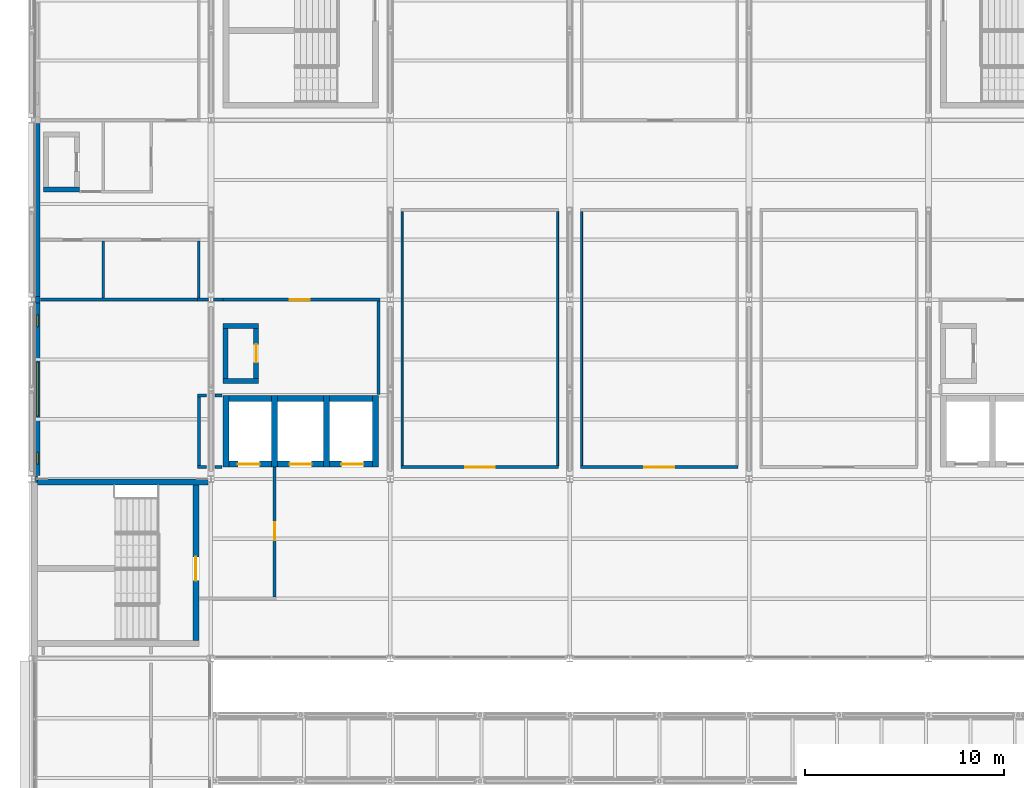
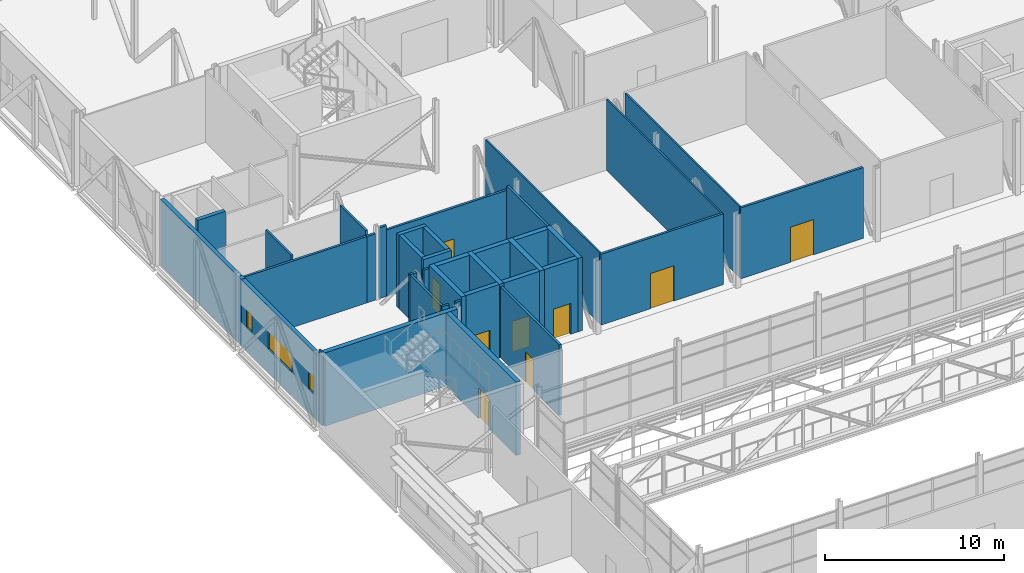
# One storey, part 78 of 94: 39 walls, 9 doors, 3 windows, 12 openings.
"""IFC4 building model written with IfcOpenShell, lengths in metres."""

import ifcopenshell
import ifcopenshell.guid

model = None  # the IFC model being written
_history = None  # IfcOwnerHistory: only IFC2X3 demands one
_inside = {}  # id of a spatial element -> (the spatial element, [elements in it])
_under = {}  # id of a project, library or spatial element -> (it, [spatial elements below it])
_declared = {}  # id of a project -> (the project, [libraries it declares])
_typed = {}  # id of a type object -> (the type object, [elements of that type])
_made_of = {}  # id of a material, layer set ... -> (it, [elements and type objects made of it])


def new_model(schema):
    """Start an empty IFC model of exactly this schema.

    Asked for "IFC4X3", IfcOpenShell would pick the latest addendum, in which some entities
    have other attributes; the version numbers below select the first issue.
    IFC2X3 requires an IfcOwnerHistory on every rooted entity: one is made here for all.
    """
    global model, _history
    if schema == "IFC4X3":
        model = ifcopenshell.file(schema_version=(4, 3, 0, 0))
    else:
        model = ifcopenshell.file(schema=schema)
    _inside.clear()
    _under.clear()
    _declared.clear()
    _typed.clear()
    _made_of.clear()
    _history = None
    if model.schema == "IFC2X3":
        org = make("IfcOrganization", Name="unknown")
        user = make(
            "IfcPersonAndOrganization",
            ThePerson=make("IfcPerson", FamilyName="unknown"),
            TheOrganization=org,
        )
        app = make(
            "IfcApplication",
            ApplicationDeveloper=org,
            Version="unknown",
            ApplicationFullName="unknown",
            ApplicationIdentifier="unknown",
        )
        _history = make(
            "IfcOwnerHistory",
            OwningUser=user,
            OwningApplication=app,
            ChangeAction="ADDED",
            CreationDate=0,
        )
    return model


def make(cls, **values):
    """One entity of the class cls with the attributes given. An attribute that is None is left unset."""
    return model.create_entity(
        cls, **{name: value for name, value in values.items() if value is not None}
    )


def rooted(cls, **values):
    """An entity with a GlobalId (a new one), such as an element, a storey or a relation."""
    return make(cls, GlobalId=ifcopenshell.guid.new(), OwnerHistory=_history, **values)


def si_unit(unit_type, name, prefix=None):
    """IfcSIUnit, for example si_unit("LENGTHUNIT", "METRE", prefix="MILLI")."""
    return make("IfcSIUnit", UnitType=unit_type, Prefix=prefix, Name=name)


def assignment(units):
    """IfcUnitAssignment: the units of a project."""
    return None if units is None else make("IfcUnitAssignment", Units=units)


def point(xyz):
    """IfcCartesianPoint."""
    return None if xyz is None else make("IfcCartesianPoint", Coordinates=xyz)


def direction(xyz):
    """IfcDirection."""
    return None if xyz is None else make("IfcDirection", DirectionRatios=xyz)


def frame(location, z_axis=None, x_axis=None):
    """IfcAxis2Placement3D, a coordinate frame: its origin and axes. An axis left out is left unset."""
    return make(
        "IfcAxis2Placement3D",
        Location=point(location),
        Axis=direction(z_axis),
        RefDirection=direction(x_axis),
    )


def frame_2d(location, x_axis=None):
    """IfcAxis2Placement2D, a coordinate frame in the plane: its origin and x axis."""
    return make(
        "IfcAxis2Placement2D", Location=point(location), RefDirection=direction(x_axis)
    )


def origin():
    """The frame at (0, 0, 0) with its axes left unset."""
    return frame((0.0, 0.0, 0.0))


def place(relative_to, where):
    """IfcLocalPlacement: puts the frame where relative to a parent placement (None: the world)."""
    return make(
        "IfcLocalPlacement", PlacementRelTo=relative_to, RelativePlacement=where
    )


def context(
    kind, dimensions, precision=None, world=None, true_north=None, identifier=None
):
    """IfcGeometricRepresentationContext, for example the 3D "Model" context."""
    return make(
        "IfcGeometricRepresentationContext",
        ContextIdentifier=identifier,
        ContextType=kind,
        CoordinateSpaceDimension=dimensions,
        Precision=precision,
        WorldCoordinateSystem=world,
        TrueNorth=true_north,
    )


def subcontext(parent, identifier, kind, view, scale=None):
    """IfcGeometricRepresentationSubContext, for example "Body" below "Model"."""
    return make(
        "IfcGeometricRepresentationSubContext",
        ContextIdentifier=identifier,
        ContextType=kind,
        ParentContext=parent,
        TargetScale=scale,
        TargetView=view,
    )


def project(units=None, contexts=None):
    """IfcProject with its units and contexts."""
    return rooted(
        "IfcProject",
        Name="project",
        RepresentationContexts=contexts,
        UnitsInContext=assignment(units),
    )


def spatial(cls, under=None, at=None, **own):
    """A site, building, storey or space (cls), placed at a placement, below another one or the project."""
    s = rooted(cls, ObjectPlacement=at, **own)
    if under is not None:
        _under.setdefault(under.id(), (under, []))[1].append(s)
    return s


def profile(cls, at=None, kind="AREA", **sizes):
    """A parametric profile (cls). Its sizes go by their IFC names, for example OverallWidth=200.0."""
    return make(cls, ProfileType=kind, Position=at, **sizes)


def rectangle(**sizes):
    """IfcRectangleProfileDef."""
    return profile("IfcRectangleProfileDef", **sizes)


def extrude(swept, where, along, depth):
    """IfcExtrudedAreaSolid: the profile swept, set in the frame where, extruded along a direction by depth."""
    return make(
        "IfcExtrudedAreaSolid",
        SweptArea=swept,
        Position=where,
        ExtrudedDirection=direction(along),
        Depth=depth,
    )


def shape(context_of_items, identifier, shape_type, items):
    """IfcShapeRepresentation: the items that make up one representation, for example the "Body"."""
    return make(
        "IfcShapeRepresentation",
        ContextOfItems=context_of_items,
        RepresentationIdentifier=identifier,
        RepresentationType=shape_type,
        Items=items,
    )


def material(Name=None, Category=None):
    """IfcMaterial."""
    return make("IfcMaterial", Name=Name, Category=Category)


def layer(
    of_material, thickness, ventilated=None, Name=None, Category=None, Priority=None
):
    """IfcMaterialLayer: one layer of a wall or slab, of a material (None: an air gap)."""
    return make(
        "IfcMaterialLayer",
        Material=of_material,
        LayerThickness=thickness,
        IsVentilated=ventilated,
        Name=Name,
        Category=Category,
        Priority=Priority,
    )


def layer_set(layers, Name=None):
    """IfcMaterialLayerSet."""
    return make("IfcMaterialLayerSet", MaterialLayers=layers, LayerSetName=Name)


def made_of(thing, what):
    """Note that an element or type object is made of a material, layer set ...; save() writes the relation."""
    if what is not None:
        _made_of.setdefault(what.id(), (what, []))[1].append(thing)
    return thing


def type_object(cls, material=None, **own):
    """A type object (cls), such as IfcWallType, which elements share."""
    return made_of(rooted(cls, **own), material)


def element(
    cls,
    number,
    at=None,
    inside=None,
    cuts=None,
    type_object=None,
    material=None,
    context=None,
    identifier="Body",
    shape_type=None,
    held_by="IfcProductDefinitionShape",
    body=None,
    shapes=None,
    **own,
):
    """One element of the class cls, such as IfcWall. Its Tag is "e" and its number.

    at: its placement. inside: the storey or other place that contains it. cuts: it is an
    opening in that element (IfcRelVoidsElement). A single representation is given by context,
    identifier, shape_type and body (its items); several are given by shapes. held_by: the class
    of the entity that holds the representations. save() writes the other relations.
    """
    e = rooted(cls, Tag="e%d" % number, ObjectPlacement=at, **own)
    if body is not None:
        shapes = [shape(context, identifier, shape_type, body)]
    if shapes is not None:
        e.Representation = make(held_by, Representations=shapes)
    if inside is not None:
        _inside.setdefault(inside.id(), (inside, []))[1].append(e)
    if cuts is not None:
        rooted(
            "IfcRelVoidsElement", RelatingBuildingElement=cuts, RelatedOpeningElement=e
        )
    if type_object is not None:
        _typed.setdefault(type_object.id(), (type_object, []))[1].append(e)
    return made_of(e, material)


def fill(opening, filler):
    """IfcRelFillsElement: the door or window that sits in an opening."""
    return rooted(
        "IfcRelFillsElement",
        RelatingOpeningElement=opening,
        RelatedBuildingElement=filler,
    )


def aggregate(whole, parts):
    """IfcRelAggregates: a whole, such as a stair, and the parts it consists of."""
    return rooted("IfcRelAggregates", RelatingObject=whole, RelatedObjects=parts)


def save(model, path):
    """Write the relations noted so far, then the file.

    IfcRelAggregates (storeys below a building ...), IfcRelContainedInSpatialStructure (elements
    in a storey), IfcRelDefinesByType, IfcRelAssociatesMaterial and IfcRelDeclares: one each for
    every whole, place, type object, material and project.
    """
    for whole, parts in _under.values():
        aggregate(whole, parts)
    for where, things in _inside.values():
        rooted(
            "IfcRelContainedInSpatialStructure",
            RelatedElements=things,
            RelatingStructure=where,
        )
    for kind, things in _typed.values():
        rooted("IfcRelDefinesByType", RelatedObjects=things, RelatingType=kind)
    for what, things in _made_of.values():
        rooted("IfcRelAssociatesMaterial", RelatedObjects=things, RelatingMaterial=what)
    for by, libraries in _declared.values():
        rooted("IfcRelDeclares", RelatingContext=by, RelatedDefinitions=libraries)
    model.write(path)


model = new_model("IFC4")

# Units and contexts
model_context = context("Model", 3, precision=1e-05, world=origin(), true_north=direction((0.0, 1.0)))
body_context = subcontext(model_context, "Body", "Model", "MODEL_VIEW")
ifc_project = project(units=[si_unit("LENGTHUNIT", "METRE"), si_unit("AREAUNIT", "SQUARE_METRE"), si_unit("VOLUMEUNIT", "CUBIC_METRE"), si_unit("PLANEANGLEUNIT", "RADIAN"), si_unit("MASSUNIT", "GRAM", prefix="KILO")], contexts=[model_context])

# Site, building, storey
site_placement = place(None, origin())
site = spatial("IfcSite", under=ifc_project, at=site_placement, CompositionType="ELEMENT")
building_placement = place(site_placement, origin())
building = spatial("IfcBuilding", under=site, at=building_placement, Name="Shorebreak Coast Museum", CompositionType="ELEMENT")
storey_placement = place(building_placement, frame((0.0, 0.0, 31.0)))
storey = spatial("IfcBuildingStorey", under=building, at=storey_placement, Name="L05", CompositionType="ELEMENT", Elevation=31.0)

# Walls
ifc_material_1 = material(Name="Concrete N50 (50 MPa)", Category="concrete")
ifc_layer_1 = layer(ifc_material_1, 0.109619140625)
ifc_layer_set_1 = layer_set([ifc_layer_1], Name="Concrete N50 (50 MPa)")
wall_type_1 = type_object("IfcWallType", Name="Column closure panel 110", PredefinedType="SOLIDWALL", material=ifc_layer_set_1)
wall_1_placement = place(storey_placement, frame((54.2451171875, 89.83642578125, 0.0), z_axis=(0.0, 0.0, 1.0), x_axis=(0.0, 1.0, 0.0)))
element("IfcWall", 1, at=wall_1_placement, inside=storey, type_object=wall_type_1, Name="Column closure panel L05 W 7L", PredefinedType="SOLIDWALL", context=body_context, shape_type="SweptSolid", body=[
    extrude(rectangle(XDim=0.3271484375, YDim=0.109619140625, at=frame_2d((0.16357421875, 0.0))), origin(), (0.0, 0.0, 1.0), 5.0),
])
ifc_material_2 = material(Name="Concrete N50 (50 MPa)", Category="concrete")
ifc_layer_2 = layer(ifc_material_2, 0.25)
ifc_layer_set_2 = layer_set([ifc_layer_2], Name="Concrete N50 (50 MPa)")
wall_type_2 = type_object("IfcWallType", Name="Column closure panel 250", PredefinedType="SOLIDWALL", material=ifc_layer_set_2)
wall_2_placement = place(storey_placement, frame((54.315185546875, 98.839111328125, 0.0), z_axis=(0.0, 0.0, 1.0), x_axis=(0.0, 1.0, 0.0)))
element("IfcWall", 2, at=wall_2_placement, inside=storey, type_object=wall_type_2, Name="Column closure panel L05 W 7M", PredefinedType="SOLIDWALL", context=body_context, shape_type="SweptSolid", body=[
    extrude(rectangle(XDim=0.32177734375, YDim=0.25, at=frame_2d((0.160888671875, 0.0))), origin(), (0.0, 0.0, 1.0), 4.50439453125),
])
ifc_material_3 = material(Name="Plasterboard on steel stud", Category="steel")
ifc_layer_3 = layer(ifc_material_3, 0.14990234375)
ifc_layer_set_3 = layer_set([ifc_layer_3], Name="Plasterboard on steel stud")
wall_type_3 = type_object("IfcWallType", Name="Fire partition 150", PredefinedType="PARTITIONING", material=ifc_layer_set_3)
wall_3_placement = place(storey_placement, frame((62.324951171875, 90.60009765625, 0.0), z_axis=(0.0, 0.0, 1.0), x_axis=(1.0, 0.0, 0.0)))
element("IfcWall", 3, at=wall_3_placement, inside=storey, type_object=wall_type_3, Name="Partition L05-005", PredefinedType="PARTITIONING", context=body_context, shape_type="SweptSolid", body=[
    extrude(rectangle(XDim=0.455078125, YDim=0.14990234375, at=frame_2d((0.2275390625, 0.0))), origin(), (0.0, 0.0, 1.0), 4.824951171875),
])
wall_4_placement = place(storey_placement, frame((63.219970703125, 90.60009765625, 0.0), z_axis=(0.0, 0.0, 1.0), x_axis=(1.0, 0.0, 0.0)))
element("IfcWall", 4, at=wall_4_placement, inside=storey, type_object=wall_type_3, Name="Partition L05-006", PredefinedType="PARTITIONING", context=body_context, shape_type="SweptSolid", body=[
    extrude(rectangle(XDim=0.330078125, YDim=0.14990234375, at=frame_2d((0.1650390625, 0.0))), origin(), (0.0, 0.0, 1.0), 4.824951171875),
])

# Wall, opening, door
wall_5_placement = place(storey_placement, frame((72.550048828125, 90.60009765625, 0.0), z_axis=(0.0, 0.0, 1.0), x_axis=(1.0, 0.0, 0.0)))
wall_5 = element("IfcWall", 5, at=wall_5_placement, inside=storey, type_object=wall_type_3, Name="Partition L05-007", PredefinedType="PARTITIONING", context=body_context, shape_type="SweptSolid", body=[
    extrude(rectangle(XDim=7.89990234375, YDim=0.14990234375, at=frame_2d((3.949951171875, 0.0))), origin(), (0.0, 0.0, 1.0), 4.824951171875),
])
opening_1_placement = place(wall_5_placement, frame((3.199951171875, 0.0, 0.0)))
opening_1 = element("IfcOpeningElement", 6, at=opening_1_placement, cuts=wall_5, Name="Opening D5020", PredefinedType="OPENING", context=body_context, shape_type="SweptSolid", body=[
    extrude(rectangle(XDim=1.5, YDim=2.39990234375, at=frame_2d((0.75, 1.199951171875))), frame((0.0, 0.0849609375, 0.0), z_axis=(0.0, -1.0, 0.0), x_axis=(1.0, 0.0, 0.0)), (0.0, 0.0, 1.0), 0.169921875),
])
ifc_material_4 = material(Name="Steel", Category="steel")
door_type_1 = type_object("IfcDoorType", Name="Fire door 1500x2400 60", OperationType="DOUBLE_DOOR_SINGLE_SWING", PredefinedType="DOOR", material=ifc_material_4)
door_1_placement = place(opening_1_placement, origin())
door_1 = element("IfcDoor", 7, at=door_1_placement, inside=storey, type_object=door_type_1, Name="Door D5020 Maritime Gallery 5.02", OperationType="DOUBLE_DOOR_SINGLE_SWING", OverallHeight=2.39990234375, OverallWidth=1.5, PredefinedType="DOOR", context=body_context, shape_type="SweptSolid", body=[
    extrude(rectangle(XDim=1.5, YDim=2.39990234375, at=frame_2d((0.75, 1.199951171875))), frame((0.0, 0.02490234375, 0.0), z_axis=(0.0, -1.0, 0.0), x_axis=(1.0, 0.0, 0.0)), (0.0, 0.0, 1.0), 0.050048828125),
])
fill(opening_1, door_1)

wall_6_placement = place(storey_placement, frame((81.550048828125, 90.60009765625, 0.0), z_axis=(0.0, 0.0, 1.0), x_axis=(1.0, 0.0, 0.0)))
wall_6 = element("IfcWall", 8, at=wall_6_placement, inside=storey, type_object=wall_type_3, Name="Partition L05-008", PredefinedType="PARTITIONING", context=body_context, shape_type="SweptSolid", body=[
    extrude(rectangle(XDim=7.89990234375, YDim=0.14990234375, at=frame_2d((3.949951171875, 0.0))), origin(), (0.0, 0.0, 1.0), 4.824951171875),
])
opening_2_placement = place(wall_6_placement, frame((3.199951171875, 0.0, 0.0)))
opening_2 = element("IfcOpeningElement", 9, at=opening_2_placement, cuts=wall_6, Name="Opening D5021", PredefinedType="OPENING", context=body_context, shape_type="SweptSolid", body=[
    extrude(rectangle(XDim=1.5, YDim=2.39990234375, at=frame_2d((0.75, 1.199951171875))), frame((0.0, 0.0849609375, 0.0), z_axis=(0.0, -1.0, 0.0), x_axis=(1.0, 0.0, 0.0)), (0.0, 0.0, 1.0), 0.169921875),
])
door_2_placement = place(opening_2_placement, origin())
door_2 = element("IfcDoor", 10, at=door_2_placement, inside=storey, type_object=door_type_1, Name="Door D5021 Temporary Gallery", OperationType="DOUBLE_DOOR_SINGLE_SWING", OverallHeight=2.39990234375, OverallWidth=1.5, PredefinedType="DOOR", context=body_context, shape_type="SweptSolid", body=[
    extrude(rectangle(XDim=1.5, YDim=2.39990234375, at=frame_2d((0.75, 1.199951171875))), frame((0.0, 0.02490234375, 0.0), z_axis=(0.0, -1.0, 0.0), x_axis=(1.0, 0.0, 0.0)), (0.0, 0.0, 1.0), 0.050048828125),
])
fill(opening_2, door_2)

# Walls
wall_7_placement = place(storey_placement, frame((62.324951171875, 94.199951171875, 0.0), z_axis=(0.0, 0.0, 1.0), x_axis=(1.0, 0.0, 0.0)))
element("IfcWall", 11, at=wall_7_placement, inside=storey, type_object=wall_type_3, Name="Partition L05-012", PredefinedType="PARTITIONING", context=body_context, shape_type="SweptSolid", body=[
    extrude(rectangle(XDim=0.455078125, YDim=0.14990234375, at=frame_2d((0.2275390625, 0.0))), origin(), (0.0, 0.0, 1.0), 4.824951171875),
])
wall_8_placement = place(storey_placement, frame((63.219970703125, 94.199951171875, 0.0), z_axis=(0.0, 0.0, 1.0), x_axis=(1.0, 0.0, 0.0)))
element("IfcWall", 12, at=wall_8_placement, inside=storey, type_object=wall_type_3, Name="Partition L05-013", PredefinedType="PARTITIONING", context=body_context, shape_type="SweptSolid", body=[
    extrude(rectangle(XDim=0.330078125, YDim=0.14990234375, at=frame_2d((0.1650390625, 0.0))), origin(), (0.0, 0.0, 1.0), 4.824951171875),
])
wall_9_placement = place(storey_placement, frame((54.46533203125, 99.0, 0.0), z_axis=(0.0, 0.0, 1.0), x_axis=(1.0, 0.0, 0.0)))
element("IfcWall", 13, at=wall_9_placement, inside=storey, type_object=wall_type_3, Name="Partition L05-016", PredefinedType="PARTITIONING", context=body_context, shape_type="SweptSolid", body=[
    extrude(rectangle(XDim=7.9970703125, YDim=0.14990234375, at=frame_2d((3.99853515625, 0.0))), origin(), (0.0, 0.0, 1.0), 4.517822265625),
])
wall_10_placement = place(storey_placement, frame((62.337890625, 99.0, 0.0), z_axis=(0.0, 0.0, 1.0), x_axis=(1.0, 0.0, 0.0)))
element("IfcWall", 14, at=wall_10_placement, inside=storey, type_object=wall_type_3, Name="Partition L05-017", PredefinedType="PARTITIONING", context=body_context, shape_type="SweptSolid", body=[
    extrude(rectangle(XDim=0.53515625, YDim=0.14990234375, at=frame_2d((0.267578125, 0.0))), origin(), (0.0, 0.0, 1.0), 4.517822265625),
])
wall_11_placement = place(storey_placement, frame((63.126953125, 99.0, 0.0), z_axis=(0.0, 0.0, 1.0), x_axis=(1.0, 0.0, 0.0)))
element("IfcWall", 15, at=wall_11_placement, inside=storey, type_object=wall_type_3, Name="Partition L05-018", PredefinedType="PARTITIONING", context=body_context, shape_type="SweptSolid", body=[
    extrude(rectangle(XDim=0.47265625, YDim=0.14990234375, at=frame_2d((0.236328125, 0.0))), origin(), (0.0, 0.0, 1.0), 4.824951171875),
])

# Wall, opening, door
wall_12_placement = place(storey_placement, frame((63.60009765625, 99.0, 0.0), z_axis=(0.0, 0.0, 1.0), x_axis=(1.0, 0.0, 0.0)))
wall_12 = element("IfcWall", 16, at=wall_12_placement, inside=storey, type_object=wall_type_3, Name="Partition L05-019", PredefinedType="PARTITIONING", context=body_context, shape_type="SweptSolid", body=[
    extrude(rectangle(XDim=7.875, YDim=0.14990234375, at=frame_2d((3.9375, 0.0))), origin(), (0.0, 0.0, 1.0), 4.517822265625),
])
opening_3_placement = place(wall_12_placement, frame((3.35009765625, 0.0, 0.0)))
opening_3 = element("IfcOpeningElement", 17, at=opening_3_placement, cuts=wall_12, Name="Opening D5008", PredefinedType="OPENING", context=body_context, shape_type="SweptSolid", body=[
    extrude(rectangle(XDim=1.0, YDim=2.39990234375, at=frame_2d((0.5, 1.199951171875))), frame((0.0, 0.0849609375, 0.0), z_axis=(0.0, -1.0, 0.0), x_axis=(1.0, 0.0, 0.0)), (0.0, 0.0, 1.0), 0.169921875),
])
ifc_material_5 = material(Name="Steel", Category="steel")
door_type_2 = type_object("IfcDoorType", Name="Fire door 1000x2400 60", OperationType="SINGLE_SWING_LEFT", PredefinedType="DOOR", material=ifc_material_5)
door_3_placement = place(opening_3_placement, origin())
door_3 = element("IfcDoor", 18, at=door_3_placement, inside=storey, type_object=door_type_2, Name="Door D5008 Lift Services Room W", OperationType="SINGLE_SWING_RIGHT", OverallHeight=2.39990234375, OverallWidth=1.0, PredefinedType="DOOR", context=body_context, shape_type="SweptSolid", body=[
    extrude(rectangle(XDim=1.0, YDim=2.39990234375, at=frame_2d((0.5, 1.199951171875))), frame((0.0, 0.02490234375, 0.0), z_axis=(0.0, -1.0, 0.0), x_axis=(1.0, 0.0, 0.0)), (0.0, 0.0, 1.0), 0.050048828125),
])
fill(opening_3, door_3)

# Wall
wall_13_placement = place(storey_placement, frame((62.39990234375, 90.675048828125, 0.0), z_axis=(0.0, 0.0, 1.0), x_axis=(0.0, 1.0, 0.0)))
element("IfcWall", 19, at=wall_13_placement, inside=storey, type_object=wall_type_3, Name="Partition L05-051", PredefinedType="PARTITIONING", context=body_context, shape_type="SweptSolid", body=[
    extrude(rectangle(XDim=3.449951171875, YDim=0.14990234375, at=frame_2d((1.72509765625, 0.0))), origin(), (0.0, 0.0, 1.0), 4.824951171875),
])

# Wall, opening, door
wall_14_placement = place(storey_placement, frame((66.199951171875, 84.074951171875, 0.0), z_axis=(0.0, 0.0, 1.0), x_axis=(0.0, 1.0, 0.0)))
wall_14 = element("IfcWall", 20, at=wall_14_placement, inside=storey, type_object=wall_type_3, Name="Partition L05-054", PredefinedType="PARTITIONING", context=body_context, shape_type="SweptSolid", body=[
    extrude(rectangle(XDim=6.525146484375, YDim=0.14990234375, at=frame_2d((3.2626953125, 0.0))), origin(), (0.0, 0.0, 1.0), 4.824951171875),
])
opening_4_placement = place(wall_14_placement, frame((2.85009765625, 0.0, 0.0)))
opening_4 = element("IfcOpeningElement", 21, at=opening_4_placement, cuts=wall_14, Name="Opening D5001", PredefinedType="OPENING", context=body_context, shape_type="SweptSolid", body=[
    extrude(rectangle(XDim=0.89990234375, YDim=2.10009765625, at=frame_2d((0.449951171875, 1.050048828125))), frame((0.0, 0.0849609375, 0.0), z_axis=(0.0, -1.0, 0.0), x_axis=(1.0, 0.0, 0.0)), (0.0, 0.0, 1.0), 0.169921875),
])
ifc_material_6 = material(Name="Steel", Category="steel")
door_type_3 = type_object("IfcDoorType", Name="Fire door 900x2100 60", OperationType="SINGLE_SWING_LEFT", PredefinedType="DOOR", material=ifc_material_6)
door_4_placement = place(opening_4_placement, origin())
door_4 = element("IfcDoor", 22, at=door_4_placement, inside=storey, type_object=door_type_3, Name="Door D5001 Firefighting Lift Lobby W", OperationType="SINGLE_SWING_LEFT", OverallHeight=2.10009765625, OverallWidth=0.89990234375, PredefinedType="DOOR", context=body_context, shape_type="SweptSolid", body=[
    extrude(rectangle(XDim=0.89990234375, YDim=2.10009765625, at=frame_2d((0.449951171875, 1.050048828125))), frame((0.0, 0.02490234375, 0.0), z_axis=(0.0, -1.0, 0.0), x_axis=(1.0, 0.0, 0.0)), (0.0, 0.0, 1.0), 0.050048828125),
])
fill(opening_4, door_4)

# Walls
wall_15_placement = place(storey_placement, frame((71.39990234375, 94.25, 0.0), z_axis=(0.0, 0.0, 1.0), x_axis=(0.0, 1.0, 0.0)))
element("IfcWall", 23, at=wall_15_placement, inside=storey, type_object=wall_type_3, Name="Partition L05-056", PredefinedType="PARTITIONING", context=body_context, shape_type="SweptSolid", body=[
    extrude(rectangle(XDim=4.675048828125, YDim=0.14990234375, at=frame_2d((2.33740234375, 0.0))), origin(), (0.0, 0.0, 1.0), 4.824951171875),
])
ifc_material_7 = material(Name="Plasterboard on steel stud", Category="steel")
ifc_layer_4 = layer(ifc_material_7, 0.10009765625)
ifc_layer_set_4 = layer_set([ifc_layer_4], Name="Plasterboard on steel stud")
wall_type_4 = type_object("IfcWallType", Name="Partition 100", PredefinedType="PARTITIONING", material=ifc_layer_set_4)
for number, where, z_axis, x_axis, name in (
    (24, (72.60009765625, 90.675048828125, 0.0), (0.0, 0.0, 1.0), (0.0, 1.0, 0.0), "Partition L05-057"),
    (25, (80.39990234375, 90.675048828125, 0.0), (0.0, 0.0, 1.0), (0.0, 1.0, 0.0), "Partition L05-058"),
    (26, (81.60009765625, 90.675048828125, 0.0), (0.0, 0.0, 1.0), (0.0, 1.0, 0.0), "Partition L05-060"),
):
    element("IfcWall", number, at=place(storey_placement, frame(where, z_axis=z_axis, x_axis=x_axis)), inside=storey, type_object=wall_type_4, Name=name, PredefinedType="PARTITIONING", context=body_context, shape_type="SweptSolid", body=[
        extrude(rectangle(XDim=12.75, YDim=0.10009765625, at=frame_2d((6.375, 0.0))), origin(), (0.0, 0.0, 1.0), 4.824951171875),
    ])
ifc_material_8 = material(Name="Plasterboard on steel stud", Category="steel")
ifc_layer_5 = layer(ifc_material_8, 0.125)
ifc_layer_set_5 = layer_set([ifc_layer_5], Name="Plasterboard on steel stud")
wall_type_5 = type_object("IfcWallType", Name="Partition 125", PredefinedType="PARTITIONING", material=ifc_layer_set_5)
for number, where, z_axis, x_axis, name in (
    (27, (57.60009765625, 99.074951171875, 0.0), (0.0, 0.0, 1.0), (0.0, 1.0, 0.0), "Partition L05-045"),
    (28, (62.39990234375, 99.074951171875, 0.0), (0.0, 0.0, 1.0), (0.0, 1.0, 0.0), "Partition L05-052"),
):
    element("IfcWall", number, at=place(storey_placement, frame(where, z_axis=z_axis, x_axis=x_axis)), inside=storey, type_object=wall_type_5, Name=name, PredefinedType="PARTITIONING", context=body_context, shape_type="SweptSolid", body=[
        extrude(rectangle(XDim=2.862548828125, YDim=0.125, at=frame_2d((1.43115234375, 0.0))), origin(), (0.0, 0.0, 1.0), 4.824951171875),
    ])

# Wall, openings, windows
ifc_material_9 = material(Name="Concrete N50 (50 MPa)", Category="concrete")
ifc_layer_6 = layer(ifc_material_9, 0.25)
ifc_layer_set_6 = layer_set([ifc_layer_6], Name="Concrete N50 (50 MPa)")
wall_type_6 = type_object("IfcWallType", Name="Precast upper panel 250", PredefinedType="SOLIDWALL", material=ifc_layer_set_6)
wall_16_placement = place(storey_placement, frame((54.315185546875, 90.16357421875, 0.0), z_axis=(0.0, 0.0, 1.0), x_axis=(0.0, 1.0, 0.0)))
wall_16 = element("IfcWall", 29, at=wall_16_placement, inside=storey, type_object=wall_type_6, Name="External wall L05 W 7L", PredefinedType="SOLIDWALL", context=body_context, shape_type="SweptSolid", body=[
    extrude(rectangle(XDim=8.675537109375, YDim=0.25, at=frame_2d((4.337890625, 0.0))), origin(), (0.0, 0.0, 1.0), 4.50439453125),
])
opening_5_placement = place(wall_16_placement, frame((0.58642578125, 0.0, 1.60009765625)))
opening_5 = element("IfcOpeningElement", 30, at=opening_5_placement, cuts=wall_16, Name="Opening WN5003", PredefinedType="OPENING", context=body_context, shape_type="SweptSolid", body=[
    extrude(rectangle(XDim=0.60009765625, YDim=1.199951171875, at=frame_2d((0.300048828125, 0.60009765625))), frame((0.0, 0.135009765625, 0.0), z_axis=(0.0, -1.0, 0.0), x_axis=(1.0, 0.0, 0.0)), (0.0, 0.0, 1.0), 0.27001953125),
])
opening_6_placement = place(wall_16_placement, frame((2.992431640625, 0.0, 1.60009765625)))
opening_6 = element("IfcOpeningElement", 31, at=opening_6_placement, cuts=wall_16, Name="Opening WN5013", PredefinedType="OPENING", context=body_context, shape_type="SweptSolid", body=[
    extrude(rectangle(XDim=2.699951171875, YDim=1.199951171875, at=frame_2d((1.35009765625, 0.60009765625))), frame((0.0, 0.135009765625, 0.0), z_axis=(0.0, -1.0, 0.0), x_axis=(1.0, 0.0, 0.0)), (0.0, 0.0, 1.0), 0.27001953125),
])
opening_7_placement = place(wall_16_placement, frame((7.486328125, 0.0, 1.60009765625)))
opening_7 = element("IfcOpeningElement", 32, at=opening_7_placement, cuts=wall_16, Name="Opening WN5014", PredefinedType="OPENING", context=body_context, shape_type="SweptSolid", body=[
    extrude(rectangle(XDim=0.60009765625, YDim=1.199951171875, at=frame_2d((0.300048828125, 0.60009765625))), frame((0.0, 0.135009765625, 0.0), z_axis=(0.0, -1.0, 0.0), x_axis=(1.0, 0.0, 0.0)), (0.0, 0.0, 1.0), 0.27001953125),
])
ifc_material_10 = material(Name="Aluminium", Category="aluminium")
window_type_1 = type_object("IfcWindowType", Name="Truss-bay window 2700 x 1200", PartitioningType="SINGLE_PANEL", PredefinedType="WINDOW", material=ifc_material_10)
window_1_placement = place(opening_6_placement, origin())
window_1 = element("IfcWindow", 33, at=window_1_placement, inside=storey, type_object=window_type_1, Name="Window WN5013", OverallHeight=1.199951171875, OverallWidth=2.699951171875, PartitioningType="SINGLE_PANEL", PredefinedType="WINDOW", context=body_context, shape_type="SweptSolid", body=[
    extrude(rectangle(XDim=2.699951171875, YDim=1.199951171875, at=frame_2d((1.35009765625, 0.60009765625))), frame((0.0, 0.030029296875, 0.0), z_axis=(0.0, -1.0, 0.0), x_axis=(1.0, 0.0, 0.0)), (0.0, 0.0, 1.0), 0.06005859375),
])
fill(opening_6, window_1)
ifc_material_11 = material(Name="Aluminium", Category="aluminium")
window_type_2 = type_object("IfcWindowType", Name="Truss-bay window 600 x 1200", PartitioningType="SINGLE_PANEL", PredefinedType="WINDOW", material=ifc_material_11)
window_2_placement = place(opening_5_placement, origin())
window_2 = element("IfcWindow", 34, at=window_2_placement, inside=storey, type_object=window_type_2, Name="Window WN5003", OverallHeight=1.199951171875, OverallWidth=0.60009765625, PartitioningType="SINGLE_PANEL", PredefinedType="WINDOW", context=body_context, shape_type="SweptSolid", body=[
    extrude(rectangle(XDim=0.60009765625, YDim=1.199951171875, at=frame_2d((0.300048828125, 0.60009765625))), frame((0.0, 0.030029296875, 0.0), z_axis=(0.0, -1.0, 0.0), x_axis=(1.0, 0.0, 0.0)), (0.0, 0.0, 1.0), 0.06005859375),
])
fill(opening_5, window_2)
window_3_placement = place(opening_7_placement, origin())
window_3 = element("IfcWindow", 35, at=window_3_placement, inside=storey, type_object=window_type_2, Name="Window WN5014", OverallHeight=1.199951171875, OverallWidth=0.60009765625, PartitioningType="SINGLE_PANEL", PredefinedType="WINDOW", context=body_context, shape_type="SweptSolid", body=[
    extrude(rectangle(XDim=0.60009765625, YDim=1.199951171875, at=frame_2d((0.300048828125, 0.60009765625))), frame((0.0, 0.030029296875, 0.0), z_axis=(0.0, -1.0, 0.0), x_axis=(1.0, 0.0, 0.0)), (0.0, 0.0, 1.0), 0.06005859375),
])
fill(opening_7, window_3)

# Walls
wall_17_placement = place(storey_placement, frame((54.315185546875, 99.160888671875, 0.0), z_axis=(0.0, 0.0, 1.0), x_axis=(0.0, 1.0, 0.0)))
element("IfcWall", 36, at=wall_17_placement, inside=storey, type_object=wall_type_6, Name="External wall L05 W 7M", PredefinedType="SOLIDWALL", context=body_context, shape_type="SweptSolid", body=[
    extrude(rectangle(XDim=8.67822265625, YDim=0.25, at=frame_2d((4.339111328125, 0.0))), origin(), (0.0, 0.0, 1.0), 4.50439453125),
])
ifc_material_12 = material(Name="Concrete N50 (50 MPa)", Category="concrete")
ifc_layer_7 = layer(ifc_material_12, 0.25)
ifc_layer_set_7 = layer_set([ifc_layer_7], Name="Concrete N50 (50 MPa)")
wall_type_7 = type_object("IfcWallType", Name="RC riser wall 250", PredefinedType="STANDARD", material=ifc_layer_set_7)
for number, where, z_axis, x_axis, name in (
    (37, (54.60009765625, 104.52490234375, 0.0), (0.0, 0.0, 1.0), (1.0, 0.0, 0.0), "Riser wall R-WC-N1 L05 S"),
    (38, (63.60009765625, 94.925048828125, 0.0), (0.0, 0.0, 1.0), (1.0, 0.0, 0.0), "Riser wall R-LBW L05 S"),
    (39, (63.60009765625, 97.675048828125, 0.0), (0.0, 0.0, 1.0), (1.0, 0.0, 0.0), "Riser wall R-LBW L05 N"),
):
    element("IfcWall", number, at=place(storey_placement, frame(where, z_axis=z_axis, x_axis=x_axis)), inside=storey, type_object=wall_type_7, Name=name, PredefinedType="STANDARD", context=body_context, shape_type="SweptSolid", body=[
        extrude(rectangle(XDim=1.7998046875, YDim=0.25, at=frame_2d((0.89990234375, 0.0))), origin(), (0.0, 0.0, 1.0), 5.0),
    ])
wall_18_placement = place(storey_placement, frame((63.72509765625, 95.050048828125, 0.0), z_axis=(0.0, 0.0, 1.0), x_axis=(0.0, 1.0, 0.0)))
element("IfcWall", 40, at=wall_18_placement, inside=storey, type_object=wall_type_7, Name="Riser wall R-LBW L05 W", PredefinedType="STANDARD", context=body_context, shape_type="SweptSolid", body=[
    extrude(rectangle(XDim=2.5, YDim=0.25, at=frame_2d((1.25, 0.0))), origin(), (0.0, 0.0, 1.0), 5.0),
])

# Wall, opening, door
wall_19_placement = place(storey_placement, frame((65.27490234375, 95.050048828125, 0.0), z_axis=(0.0, 0.0, 1.0), x_axis=(0.0, 1.0, 0.0)))
wall_19 = element("IfcWall", 41, at=wall_19_placement, inside=storey, type_object=wall_type_7, Name="Riser wall R-LBW L05 E", PredefinedType="STANDARD", context=body_context, shape_type="SweptSolid", body=[
    extrude(rectangle(XDim=2.5, YDim=0.25, at=frame_2d((1.25, 0.0))), origin(), (0.0, 0.0, 1.0), 5.0),
])
opening_8_placement = place(wall_19_placement, frame((0.800048828125, 0.0, 0.0)))
opening_8 = element("IfcOpeningElement", 42, at=opening_8_placement, cuts=wall_19, Name="Opening D5606", PredefinedType="OPENING", context=body_context, shape_type="SweptSolid", body=[
    extrude(rectangle(XDim=0.89990234375, YDim=2.10009765625, at=frame_2d((0.449951171875, 1.050048828125))), frame((0.0, 0.135009765625, 0.0), z_axis=(0.0, -1.0, 0.0), x_axis=(1.0, 0.0, 0.0)), (0.0, 0.0, 1.0), 0.27001953125),
])
ifc_material_13 = material(Name="Steel Grade 300", Category="steel")
door_type_4 = type_object("IfcDoorType", Name="Riser door 900x2100", OperationType="SINGLE_SWING_LEFT", PredefinedType="DOOR", material=ifc_material_13)
door_5_placement = place(opening_8_placement, origin())
door_5 = element("IfcDoor", 43, at=door_5_placement, inside=storey, type_object=door_type_4, Name="Riser door R-LBW L05", OperationType="SINGLE_SWING_LEFT", OverallHeight=2.10009765625, OverallWidth=0.89990234375, PredefinedType="DOOR", context=body_context, shape_type="SweptSolid", body=[
    extrude(rectangle(XDim=0.89990234375, YDim=2.10009765625, at=frame_2d((0.449951171875, 1.050048828125))), frame((0.0, 0.02490234375, 0.0), z_axis=(0.0, -1.0, 0.0), x_axis=(1.0, 0.0, 0.0)), (0.0, 0.0, 1.0), 0.050048828125),
])
fill(opening_8, door_5)

# Wall
ifc_material_14 = material(Name="Concrete N50 (50 MPa)", Category="concrete")
ifc_layer_8 = layer(ifc_material_14, 0.300048828125)
ifc_layer_set_8 = layer_set([ifc_layer_8], Name="Concrete N50 (50 MPa)")
wall_type_8 = type_object("IfcWallType", Name="RC wall 300", PredefinedType="SHEAR", material=ifc_layer_set_8)
wall_20_placement = place(storey_placement, frame((54.300048828125, 89.85009765625, 0.0), z_axis=(0.0, 0.0, 1.0), x_axis=(1.0, 0.0, 0.0)))
element("IfcWall", 44, at=wall_20_placement, inside=storey, type_object=wall_type_8, Name="Stair core wall ST03 L05 N", PredefinedType="SHEAR", context=body_context, shape_type="SweptSolid", body=[
    extrude(rectangle(XDim=8.54443359375, YDim=0.300048828125, at=frame_2d((4.272216796875, 0.0))), origin(), (0.0, 0.0, 1.0), 5.0),
])

# Wall, opening, door
wall_21_placement = place(storey_placement, frame((62.25, 81.89990234375, 0.0), z_axis=(0.0, 0.0, 1.0), x_axis=(0.0, 1.0, 0.0)))
wall_21 = element("IfcWall", 45, at=wall_21_placement, inside=storey, type_object=wall_type_8, Name="Stair core wall ST03 L05 E", PredefinedType="SHEAR", context=body_context, shape_type="SweptSolid", body=[
    extrude(rectangle(XDim=7.800048828125, YDim=0.300048828125, at=frame_2d((3.89990234375, 0.0))), origin(), (0.0, 0.0, 1.0), 5.0),
])
opening_9_placement = place(wall_21_placement, frame((3.0, 0.0, 0.0)))
opening_9 = element("IfcOpeningElement", 46, at=opening_9_placement, cuts=wall_21, Name="Opening D5803", PredefinedType="OPENING", context=body_context, shape_type="SweptSolid", body=[
    extrude(rectangle(XDim=1.199951171875, YDim=2.10009765625, at=frame_2d((0.60009765625, 1.050048828125))), frame((0.0, 0.159912109375, 0.0), z_axis=(0.0, -1.0, 0.0), x_axis=(1.0, 0.0, 0.0)), (0.0, 0.0, 1.0), 0.320068359375),
])
ifc_material_15 = material(Name="Steel Grade 300", Category="steel")
door_type_5 = type_object("IfcDoorType", Name="Fire door 1200x2100", OperationType="SINGLE_SWING_LEFT", PredefinedType="DOOR", material=ifc_material_15)
door_6_placement = place(opening_9_placement, origin())
door_6 = element("IfcDoor", 47, at=door_6_placement, inside=storey, type_object=door_type_5, Name="Stair door ST03 L05", OperationType="SINGLE_SWING_RIGHT", OverallHeight=2.10009765625, OverallWidth=1.199951171875, PredefinedType="DOOR", context=body_context, shape_type="SweptSolid", body=[
    extrude(rectangle(XDim=1.199951171875, YDim=2.10009765625, at=frame_2d((0.60009765625, 1.050048828125))), frame((0.0, 0.02490234375, 0.0), z_axis=(0.0, -1.0, 0.0), x_axis=(1.0, 0.0, 0.0)), (0.0, 0.0, 1.0), 0.050048828125),
])
fill(opening_9, door_6)

# Walls
for number, where, z_axis, x_axis, name in (
    (48, (63.75, 90.60009765625, 0.0), (0.0, 0.0, 1.0), (0.0, 1.0, 0.0), "Lift shaft wall LBW L05 1"),
    (49, (66.199951171875, 90.60009765625, 0.0), (0.0, 0.0, 1.0), (0.0, 1.0, 0.0), "Lift shaft wall LBW L05 2"),
    (50, (68.800048828125, 90.60009765625, 0.0), (0.0, 0.0, 1.0), (0.0, 1.0, 0.0), "Lift shaft wall LBW L05 3"),
    (51, (71.25, 90.60009765625, 0.0), (0.0, 0.0, 1.0), (0.0, 1.0, 0.0), "Lift shaft wall LBW L05 4"),
):
    element("IfcWall", number, at=place(storey_placement, frame(where, z_axis=z_axis, x_axis=x_axis)), inside=storey, type_object=wall_type_8, Name=name, PredefinedType="SHEAR", context=body_context, shape_type="SweptSolid", body=[
        extrude(rectangle(XDim=3.599853515625, YDim=0.300048828125, at=frame_2d((1.7998046875, 0.0))), origin(), (0.0, 0.0, 1.0), 5.0),
    ])

# Wall, opening, door
wall_22_placement = place(storey_placement, frame((63.89990234375, 90.75, 0.0), z_axis=(0.0, 0.0, 1.0), x_axis=(1.0, 0.0, 0.0)))
wall_22 = element("IfcWall", 52, at=wall_22_placement, inside=storey, type_object=wall_type_8, Name="Lift shaft wall FL1 L05 F", PredefinedType="SHEAR", context=body_context, shape_type="SweptSolid", body=[
    extrude(rectangle(XDim=2.150146484375, YDim=0.300048828125, at=frame_2d((1.0751953125, 0.0))), origin(), (0.0, 0.0, 1.0), 5.0),
])
opening_10_placement = place(wall_22_placement, frame((0.449951171875, 0.0, 0.0)))
opening_10 = element("IfcOpeningElement", 53, at=opening_10_placement, cuts=wall_22, Name="Opening LD5-FL1", PredefinedType="OPENING", context=body_context, shape_type="SweptSolid", body=[
    extrude(rectangle(XDim=1.10009765625, YDim=2.10009765625, at=frame_2d((0.550048828125, 1.050048828125))), frame((0.0, 0.159912109375, 0.0), z_axis=(0.0, -1.0, 0.0), x_axis=(1.0, 0.0, 0.0)), (0.0, 0.0, 1.0), 0.320068359375),
])
ifc_material_16 = material(Name="Steel Grade 300", Category="steel")
door_type_6 = type_object("IfcDoorType", Name="Landing door 1100x2100", OperationType="DOUBLE_DOOR_SLIDING", PredefinedType="DOOR", material=ifc_material_16)
door_7_placement = place(opening_10_placement, origin())
door_7 = element("IfcDoor", 54, at=door_7_placement, inside=storey, type_object=door_type_6, Name="Landing door FL1 L05", OperationType="DOUBLE_DOOR_SLIDING", OverallHeight=2.10009765625, OverallWidth=1.10009765625, PredefinedType="DOOR", context=body_context, shape_type="SweptSolid", body=[
    extrude(rectangle(XDim=1.10009765625, YDim=2.10009765625, at=frame_2d((0.550048828125, 1.050048828125))), frame((0.0, 0.02490234375, 0.0), z_axis=(0.0, -1.0, 0.0), x_axis=(1.0, 0.0, 0.0)), (0.0, 0.0, 1.0), 0.050048828125),
])
fill(opening_10, door_7)

# Wall
wall_23_placement = place(storey_placement, frame((63.89990234375, 94.050048828125, 0.0), z_axis=(0.0, 0.0, 1.0), x_axis=(1.0, 0.0, 0.0)))
element("IfcWall", 55, at=wall_23_placement, inside=storey, type_object=wall_type_8, Name="Lift shaft wall FL1 L05 B", PredefinedType="SHEAR", context=body_context, shape_type="SweptSolid", body=[
    extrude(rectangle(XDim=2.150146484375, YDim=0.300048828125, at=frame_2d((1.0751953125, 0.0))), origin(), (0.0, 0.0, 1.0), 5.0),
])

# Wall, opening, door
wall_24_placement = place(storey_placement, frame((66.35009765625, 90.75, 0.0), z_axis=(0.0, 0.0, 1.0), x_axis=(1.0, 0.0, 0.0)))
wall_24 = element("IfcWall", 56, at=wall_24_placement, inside=storey, type_object=wall_type_8, Name="Lift shaft wall P1 L05 F", PredefinedType="SHEAR", context=body_context, shape_type="SweptSolid", body=[
    extrude(rectangle(XDim=2.2998046875, YDim=0.300048828125, at=frame_2d((1.14990234375, 0.0))), origin(), (0.0, 0.0, 1.0), 5.0),
])
opening_11_placement = place(wall_24_placement, frame((0.60009765625, 0.0, 0.0)))
opening_11 = element("IfcOpeningElement", 57, at=opening_11_placement, cuts=wall_24, Name="Opening LD5-P1", PredefinedType="OPENING", context=body_context, shape_type="SweptSolid", body=[
    extrude(rectangle(XDim=1.10009765625, YDim=2.10009765625, at=frame_2d((0.550048828125, 1.050048828125))), frame((0.0, 0.159912109375, 0.0), z_axis=(0.0, -1.0, 0.0), x_axis=(1.0, 0.0, 0.0)), (0.0, 0.0, 1.0), 0.320068359375),
])
door_8_placement = place(opening_11_placement, origin())
door_8 = element("IfcDoor", 58, at=door_8_placement, inside=storey, type_object=door_type_6, Name="Landing door P1 L05", OperationType="DOUBLE_DOOR_SLIDING", OverallHeight=2.10009765625, OverallWidth=1.10009765625, PredefinedType="DOOR", context=body_context, shape_type="SweptSolid", body=[
    extrude(rectangle(XDim=1.10009765625, YDim=2.10009765625, at=frame_2d((0.550048828125, 1.050048828125))), frame((0.0, 0.02490234375, 0.0), z_axis=(0.0, -1.0, 0.0), x_axis=(1.0, 0.0, 0.0)), (0.0, 0.0, 1.0), 0.050048828125),
])
fill(opening_11, door_8)

# Wall
wall_25_placement = place(storey_placement, frame((66.35009765625, 94.050048828125, 0.0), z_axis=(0.0, 0.0, 1.0), x_axis=(1.0, 0.0, 0.0)))
element("IfcWall", 59, at=wall_25_placement, inside=storey, type_object=wall_type_8, Name="Lift shaft wall P1 L05 B", PredefinedType="SHEAR", context=body_context, shape_type="SweptSolid", body=[
    extrude(rectangle(XDim=2.2998046875, YDim=0.300048828125, at=frame_2d((1.14990234375, 0.0))), origin(), (0.0, 0.0, 1.0), 5.0),
])

# Wall, opening, door
wall_26_placement = place(storey_placement, frame((68.949951171875, 90.75, 0.0), z_axis=(0.0, 0.0, 1.0), x_axis=(1.0, 0.0, 0.0)))
wall_26 = element("IfcWall", 60, at=wall_26_placement, inside=storey, type_object=wall_type_8, Name="Lift shaft wall P2 L05 F", PredefinedType="SHEAR", context=body_context, shape_type="SweptSolid", body=[
    extrude(rectangle(XDim=2.150146484375, YDim=0.300048828125, at=frame_2d((1.0751953125, 0.0))), origin(), (0.0, 0.0, 1.0), 5.0),
])
opening_12_placement = place(wall_26_placement, frame((0.60009765625, 0.0, 0.0)))
opening_12 = element("IfcOpeningElement", 61, at=opening_12_placement, cuts=wall_26, Name="Opening LD5-P2", PredefinedType="OPENING", context=body_context, shape_type="SweptSolid", body=[
    extrude(rectangle(XDim=1.10009765625, YDim=2.10009765625, at=frame_2d((0.550048828125, 1.050048828125))), frame((0.0, 0.159912109375, 0.0), z_axis=(0.0, -1.0, 0.0), x_axis=(1.0, 0.0, 0.0)), (0.0, 0.0, 1.0), 0.320068359375),
])
door_9_placement = place(opening_12_placement, origin())
door_9 = element("IfcDoor", 62, at=door_9_placement, inside=storey, type_object=door_type_6, Name="Landing door P2 L05", OperationType="DOUBLE_DOOR_SLIDING", OverallHeight=2.10009765625, OverallWidth=1.10009765625, PredefinedType="DOOR", context=body_context, shape_type="SweptSolid", body=[
    extrude(rectangle(XDim=1.10009765625, YDim=2.10009765625, at=frame_2d((0.550048828125, 1.050048828125))), frame((0.0, 0.02490234375, 0.0), z_axis=(0.0, -1.0, 0.0), x_axis=(1.0, 0.0, 0.0)), (0.0, 0.0, 1.0), 0.050048828125),
])
fill(opening_12, door_9)

# Wall
wall_27_placement = place(storey_placement, frame((68.949951171875, 94.050048828125, 0.0), z_axis=(0.0, 0.0, 1.0), x_axis=(1.0, 0.0, 0.0)))
element("IfcWall", 63, at=wall_27_placement, inside=storey, type_object=wall_type_8, Name="Lift shaft wall P2 L05 B", PredefinedType="SHEAR", context=body_context, shape_type="SweptSolid", body=[
    extrude(rectangle(XDim=2.150146484375, YDim=0.300048828125, at=frame_2d((1.0751953125, 0.0))), origin(), (0.0, 0.0, 1.0), 5.0),
])

save(model, "model.ifc")
